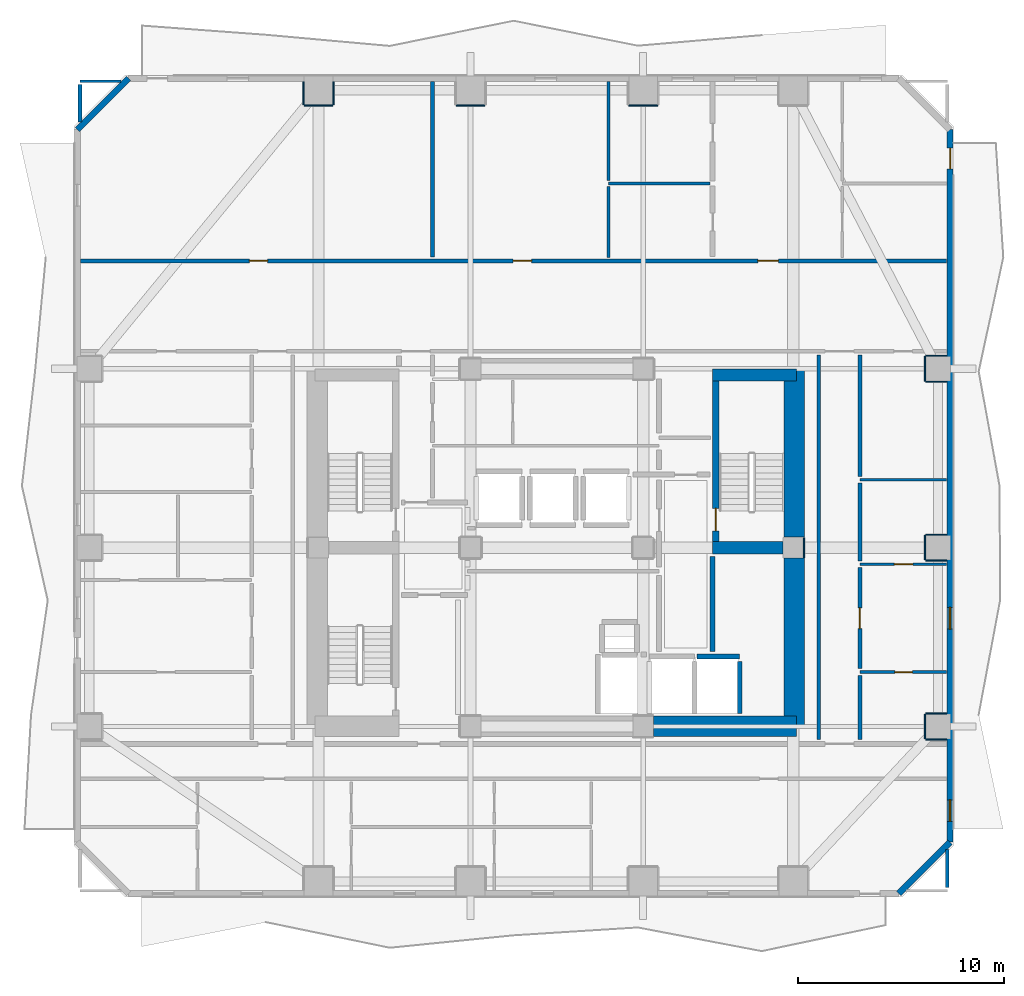
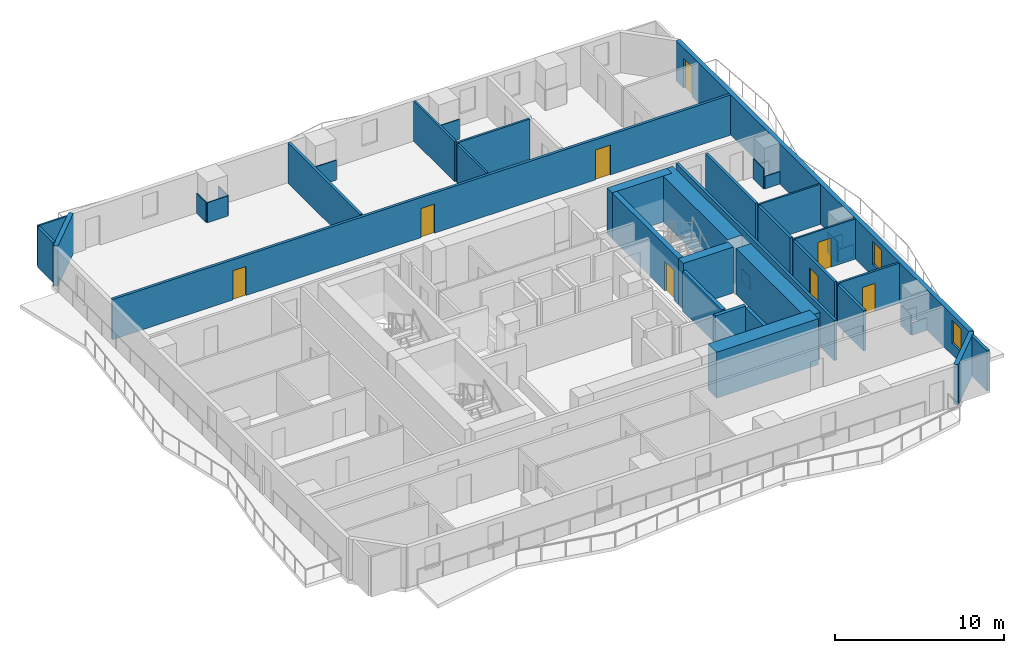
# One storey, part 5 of 10: 43 walls, 8 doors, 2 windows, 10 openings.
"""IFC4 building model written with IfcOpenShell, lengths in metres."""

from ifc_helpers import new_model, si_unit, direction, frame, frame_2d, origin, place, context, subcontext, project, spatial, rectangle, extrude, material, layer, layer_set, type_object, element, fill, save


model = new_model("IFC4")

# Units and contexts
model_context = context("Model", 3, precision=1e-05, world=origin(), true_north=direction((0.0, 1.0)))
body_context = subcontext(model_context, "Body", "Model", "MODEL_VIEW")
ifc_project = project(units=[si_unit("LENGTHUNIT", "METRE"), si_unit("AREAUNIT", "SQUARE_METRE"), si_unit("VOLUMEUNIT", "CUBIC_METRE"), si_unit("PLANEANGLEUNIT", "RADIAN"), si_unit("MASSUNIT", "GRAM", prefix="KILO")], contexts=[model_context])

# Site, building, storey
site_placement = place(None, origin())
site = spatial("IfcSite", under=ifc_project, at=site_placement, CompositionType="ELEMENT")
building_placement = place(site_placement, origin())
building = spatial("IfcBuilding", under=site, at=building_placement, Name="Solanera Arch Residences", CompositionType="ELEMENT")
storey_placement = place(building_placement, frame((0.0, 0.0, 102.760009765625)))
storey = spatial("IfcBuildingStorey", under=building, at=storey_placement, Name="L29", CompositionType="ELEMENT", Elevation=102.760009765625)

# Walls
ifc_material_1 = material(Name="Fire-Rated Gypsum Stud Partition", Category="gypsum")
ifc_layer_1 = layer(ifc_material_1, 0.06005859375)
ifc_layer_set_1 = layer_set([ifc_layer_1], Name="Fire-Rated Gypsum Stud Partition")
wall_type_1 = type_object("IfcWallType", Name="Column Acoustic Furring Wall 60", PredefinedType="PARTITIONING", material=ifc_layer_set_1)
wall_1_placement = place(storey_placement, frame((37.031982421875, 30.2099609375, 0.0), z_axis=(0.0, 0.0, 1.0), x_axis=(0.0, 1.0, 0.0)))
element("IfcWall", 1, at=wall_1_placement, inside=storey, type_object=wall_type_1, Name="L29 Column Furring 6E", PredefinedType="PARTITIONING", context=body_context, shape_type="SweptSolid", body=[
    extrude(rectangle(XDim=0.97998046875, YDim=0.06005859375, at=frame_2d((0.489990234375, 0.0))), origin(), (0.0, 0.0, 1.0), 0.905029296875),
])
wall_2_placement = place(storey_placement, frame((12.699951171875, 52.218017578125, 0.0), z_axis=(0.0, 0.0, 1.0), x_axis=(1.0, 0.0, 0.0)))
element("IfcWall", 2, at=wall_2_placement, inside=storey, type_object=wall_type_1, Name="L29 Column Furring 10S", PredefinedType="PARTITIONING", context=body_context, shape_type="SweptSolid", body=[
    extrude(rectangle(XDim=1.400146484375, YDim=0.06005859375, at=frame_2d((0.7001953125, 0.0))), origin(), (0.0, 0.0, 1.0), 1.449951171875),
])
for number, where, z_axis, x_axis, name in (
    (3, (12.66796875, 52.25, 0.0), (0.0, 0.0, 1.0), (0.0, 1.0, 0.0), "L29 Column Furring 10W"),
    (4, (14.132080078125, 52.25, 0.0), (0.0, 0.0, 1.0), (0.0, 1.0, 0.0), "L29 Column Furring 10E"),
):
    element("IfcWall", number, at=place(storey_placement, frame(where, z_axis=z_axis, x_axis=x_axis)), inside=storey, type_object=wall_type_1, Name=name, PredefinedType="PARTITIONING", context=body_context, shape_type="SweptSolid", body=[
        extrude(rectangle(XDim=1.1201171875, YDim=0.06005859375, at=frame_2d((0.56005859375, 0.0))), origin(), (0.0, 0.0, 1.0), 1.449951171875),
    ])
for number, where, z_axis, x_axis, name in (
    (5, (20.10009765625, 52.218017578125, 0.0), (0.0, 0.0, 1.0), (1.0, 0.0, 0.0), "L29 Column Furring 12S"),
    (6, (28.5, 52.218017578125, 0.0), (0.0, 0.0, 1.0), (1.0, 0.0, 0.0), "L29 Column Furring 14S"),
):
    element("IfcWall", number, at=place(storey_placement, frame(where, z_axis=z_axis, x_axis=x_axis)), inside=storey, type_object=wall_type_1, Name=name, PredefinedType="PARTITIONING", context=body_context, shape_type="SweptSolid", body=[
        extrude(rectangle(XDim=1.39990234375, YDim=0.06005859375, at=frame_2d((0.699951171875, 0.0))), origin(), (0.0, 0.0, 1.0), 1.449951171875),
    ])
for number, where, z_axis, x_axis, name in (
    (7, (42.949951171875, 21.367919921875, 0.0), (0.0, 0.0, 1.0), (1.0, 0.0, 0.0), "L29 Column Furring 18S"),
    (8, (42.949951171875, 22.632080078125, 0.0), (0.0, 0.0, 1.0), (1.0, 0.0, 0.0), "L29 Column Furring 18N"),
):
    element("IfcWall", number, at=place(storey_placement, frame(where, z_axis=z_axis, x_axis=x_axis)), inside=storey, type_object=wall_type_1, Name=name, PredefinedType="PARTITIONING", context=body_context, shape_type="SweptSolid", body=[
        extrude(rectangle(XDim=1.02001953125, YDim=0.06005859375, at=frame_2d((0.510009765625, 0.0))), origin(), (0.0, 0.0, 1.0), 0.905029296875),
    ])
wall_3_placement = place(storey_placement, frame((42.91796875, 21.39990234375, 0.0), z_axis=(0.0, 0.0, 1.0), x_axis=(0.0, 1.0, 0.0)))
element("IfcWall", 9, at=wall_3_placement, inside=storey, type_object=wall_type_1, Name="L29 Column Furring 18W", PredefinedType="PARTITIONING", context=body_context, shape_type="SweptSolid", body=[
    extrude(rectangle(XDim=1.2001953125, YDim=0.06005859375, at=frame_2d((0.60009765625, 0.0))), origin(), (0.0, 0.0, 1.0), 1.449951171875),
])
for number, where, z_axis, x_axis, name in (
    (10, (42.949951171875, 30.068115234375, 0.0), (0.0, 0.0, 1.0), (1.0, 0.0, 0.0), "L29 Column Furring 20S"),
    (11, (42.949951171875, 31.33203125, 0.0), (0.0, 0.0, 1.0), (1.0, 0.0, 0.0), "L29 Column Furring 20N"),
):
    element("IfcWall", number, at=place(storey_placement, frame(where, z_axis=z_axis, x_axis=x_axis)), inside=storey, type_object=wall_type_1, Name=name, PredefinedType="PARTITIONING", context=body_context, shape_type="SweptSolid", body=[
        extrude(rectangle(XDim=1.02001953125, YDim=0.06005859375, at=frame_2d((0.510009765625, 0.0))), origin(), (0.0, 0.0, 1.0), 0.905029296875),
    ])
wall_4_placement = place(storey_placement, frame((42.91796875, 30.10009765625, 0.0), z_axis=(0.0, 0.0, 1.0), x_axis=(0.0, 1.0, 0.0)))
element("IfcWall", 12, at=wall_4_placement, inside=storey, type_object=wall_type_1, Name="L29 Column Furring 20W", PredefinedType="PARTITIONING", context=body_context, shape_type="SweptSolid", body=[
    extrude(rectangle(XDim=1.199951171875, YDim=0.06005859375, at=frame_2d((0.60009765625, 0.0))), origin(), (0.0, 0.0, 1.0), 1.449951171875),
])
for number, where, z_axis, x_axis, name in (
    (13, (42.949951171875, 38.76806640625, 0.0), (0.0, 0.0, 1.0), (1.0, 0.0, 0.0), "L29 Column Furring 22S"),
    (14, (42.949951171875, 40.031982421875, 0.0), (0.0, 0.0, 1.0), (1.0, 0.0, 0.0), "L29 Column Furring 22N"),
):
    element("IfcWall", number, at=place(storey_placement, frame(where, z_axis=z_axis, x_axis=x_axis)), inside=storey, type_object=wall_type_1, Name=name, PredefinedType="PARTITIONING", context=body_context, shape_type="SweptSolid", body=[
        extrude(rectangle(XDim=1.02001953125, YDim=0.06005859375, at=frame_2d((0.510009765625, 0.0))), origin(), (0.0, 0.0, 1.0), 0.905029296875),
    ])
wall_5_placement = place(storey_placement, frame((42.91796875, 38.800048828125, 0.0), z_axis=(0.0, 0.0, 1.0), x_axis=(0.0, 1.0, 0.0)))
element("IfcWall", 15, at=wall_5_placement, inside=storey, type_object=wall_type_1, Name="L29 Column Furring 22W", PredefinedType="PARTITIONING", context=body_context, shape_type="SweptSolid", body=[
    extrude(rectangle(XDim=1.199951171875, YDim=0.06005859375, at=frame_2d((0.60009765625, 0.0))), origin(), (0.0, 0.0, 1.0), 1.449951171875),
])
ifc_material_2 = material(Name="Concrete C55/67 (f'c = 60 MPa)", Category="concrete")
ifc_layer_2 = layer(ifc_material_2, 1.0)
ifc_layer_set_2 = layer_set([ifc_layer_2], Name="Concrete C55/67 (f'c = 60 MPa)")
wall_type_2 = type_object("IfcWallType", Name="Core Shear Wall CW-1000", PredefinedType="SHEAR", material=ifc_layer_set_2)
wall_6_placement = place(storey_placement, frame((36.56005859375, 22.0, 0.0), z_axis=(0.0, 0.0, 1.0), x_axis=(0.0, 1.0, 0.0)))
element("IfcWall", 16, at=wall_6_placement, inside=storey, type_object=wall_type_2, Name="L29 East Core South Shear Wall", PredefinedType="SHEAR", context=body_context, shape_type="SweptSolid", body=[
    extrude(rectangle(XDim=8.195068359375, YDim=1.0, at=frame_2d((4.09765625, 0.0))), origin(), (0.0, 0.0, 1.0), 3.320068359375),
])
wall_7_placement = place(storey_placement, frame((36.56005859375, 31.205078125, 0.0), z_axis=(0.0, 0.0, 1.0), x_axis=(0.0, 1.0, 0.0)))
element("IfcWall", 17, at=wall_7_placement, inside=storey, type_object=wall_type_2, Name="L29 East Core North Shear Wall", PredefinedType="SHEAR", context=body_context, shape_type="SweptSolid", body=[
    extrude(rectangle(XDim=8.19482421875, YDim=1.0, at=frame_2d((4.097412109375, 0.0))), origin(), (0.0, 0.0, 1.0), 3.320068359375),
])
wall_8_placement = place(storey_placement, frame((29.705078125, 22.0, 0.0), z_axis=(0.0, 0.0, 1.0), x_axis=(1.0, 0.0, 0.0)))
element("IfcWall", 18, at=wall_8_placement, inside=storey, type_object=wall_type_2, Name="L29 South-East Core Shear Wall", PredefinedType="SHEAR", context=body_context, shape_type="SweptSolid", body=[
    extrude(rectangle(XDim=6.954833984375, YDim=1.0, at=frame_2d((3.4775390625, 0.0))), origin(), (0.0, 0.0, 1.0), 3.320068359375),
])

# Wall, opening, door
ifc_material_3 = material(Name="Concrete C40/50 (f'c = 45 MPa)", Category="concrete")
ifc_layer_3 = layer(ifc_material_3, 0.320068359375)
ifc_layer_set_3 = layer_set([ifc_layer_3], Name="Concrete C40/50 (f'c = 45 MPa)")
wall_type_3 = type_object("IfcWallType", Name="Core Shear Wall CW-320", PredefinedType="SHEAR", material=ifc_layer_set_3)
wall_9_placement = place(storey_placement, frame((32.739990234375, 31.0, 0.0), z_axis=(0.0, 0.0, 1.0), x_axis=(0.0, 1.0, 0.0)))
wall_9 = element("IfcWall", 19, at=wall_9_placement, inside=storey, type_object=wall_type_3, Name="L29 Stair ST-T2 West Shear Wall", PredefinedType="SHEAR", context=body_context, shape_type="SweptSolid", body=[
    extrude(rectangle(XDim=7.800048828125, YDim=0.320068359375, at=frame_2d((3.89990234375, 0.0))), origin(), (0.0, 0.0, 1.0), 3.320068359375),
])
opening_1_placement = place(wall_9_placement, frame((0.510009765625, 0.0, 0.0)))
opening_1 = element("IfcOpeningElement", 20, at=opening_1_placement, cuts=wall_9, Name="Opening DF-01", PredefinedType="OPENING", context=body_context, shape_type="SweptSolid", body=[
    extrude(rectangle(XDim=1.10009765625, YDim=2.14990234375, at=frame_2d((0.550048828125, 1.074951171875))), frame((0.0, 0.169921875, 0.0), z_axis=(0.0, -1.0, 0.0), x_axis=(1.0, 0.0, 0.0)), (0.0, 0.0, 1.0), 0.3401),
])
ifc_material_4 = material(Name="Fire-Rated Architectural Hardwood", Category="wood")
door_type_1 = type_object("IfcDoorType", Name="Stair Exit Fire Door DF-01", OperationType="NOTDEFINED", PredefinedType="DOOR", material=ifc_material_4)
door_1_placement = place(opening_1_placement, origin())
door_1 = element("IfcDoor", 21, at=door_1_placement, inside=storey, type_object=door_type_1, Name="DR-L29-STAIR-ST-T2", OperationType="SINGLE_SWING_LEFT", OverallHeight=2.14990234375, OverallWidth=1.10009765625, PredefinedType="DOOR", context=body_context, shape_type="SweptSolid", body=[
    extrude(rectangle(XDim=1.10009765625, YDim=2.14990234375, at=frame_2d((0.550048828125, 1.074951171875))), frame((0.0, 0.02490234375, 0.0), z_axis=(0.0, -1.0, 0.0), x_axis=(1.0, 0.0, 0.0)), (0.0, 0.0, 1.0), 0.050048828125),
])
fill(opening_1, door_1)

# Walls
ifc_material_5 = material(Name="Concrete C40/50 (f'c = 45 MPa)", Category="concrete")
ifc_layer_4 = layer(ifc_material_5, 0.60009765625)
ifc_layer_set_4 = layer_set([ifc_layer_4], Name="Concrete C40/50 (f'c = 45 MPa)")
wall_type_4 = type_object("IfcWallType", Name="Core Shear Wall CW-600", PredefinedType="SHEAR", material=ifc_layer_set_4)
wall_10_placement = place(storey_placement, frame((32.580078125, 39.10009765625, 0.0), z_axis=(0.0, 0.0, 1.0), x_axis=(1.0, 0.0, 0.0)))
element("IfcWall", 22, at=wall_10_placement, inside=storey, type_object=wall_type_4, Name="L29 North-East Core Shear Wall", PredefinedType="SHEAR", context=body_context, shape_type="SweptSolid", body=[
    extrude(rectangle(XDim=4.079833984375, YDim=0.60009765625, at=frame_2d((2.0400390625, 0.0))), origin(), (0.0, 0.0, 1.0), 3.320068359375),
])
wall_11_placement = place(storey_placement, frame((32.580078125, 30.699951171875, 0.0), z_axis=(0.0, 0.0, 1.0), x_axis=(1.0, 0.0, 0.0)))
element("IfcWall", 23, at=wall_11_placement, inside=storey, type_object=wall_type_4, Name="L29 East Stair Far-Landing Shear Wall", PredefinedType="SHEAR", context=body_context, shape_type="SweptSolid", body=[
    extrude(rectangle(XDim=3.4150390625, YDim=0.60009765625, at=frame_2d((1.70751953125, 0.0))), origin(), (0.0, 0.0, 1.0), 3.320068359375),
])

# Wall, openings, doors
ifc_material_6 = material(Name="Autoclaved Aerated Concrete Blockwork", Category="masonry")
ifc_layer_5 = layer(ifc_material_6, 0.179931640625)
ifc_layer_set_5 = layer_set([ifc_layer_5], Name="Autoclaved Aerated Concrete Blockwork")
wall_type_5 = type_object("IfcWallType", Name="Corridor Fire Partition 180", PredefinedType="PARTITIONING", material=ifc_layer_set_5)
wall_12_placement = place(storey_placement, frame((1.826904296875, 44.64990234375, 0.0), z_axis=(0.0, 0.0, 1.0), x_axis=(1.0, 0.0, 0.0)))
wall_12 = element("IfcWall", 24, at=wall_12_placement, inside=storey, type_object=wall_type_5, Name="L29 Interior Partition H11", PredefinedType="PARTITIONING", context=body_context, shape_type="SweptSolid", body=[
    extrude(rectangle(XDim=42.14599609375, YDim=0.179931640625, at=frame_2d((21.072998046875, 0.0))), origin(), (0.0, 0.0, 1.0), 2.89990234375),
])
opening_2_placement = place(wall_12_placement, frame((8.20703125, 0.0, 0.0)))
opening_2 = element("IfcOpeningElement", 25, at=opening_2_placement, cuts=wall_12, Name="Opening DI-02", PredefinedType="OPENING", context=body_context, shape_type="SweptSolid", body=[
    extrude(rectangle(XDim=0.89990234375, YDim=2.10009765625, at=frame_2d((0.449951171875, 1.050048828125))), frame((0.0, 0.10009765625, 0.0), z_axis=(0.0, -1.0, 0.0), x_axis=(1.0, 0.0, 0.0)), (0.0, 0.0, 1.0), 0.1999),
])
opening_3_placement = place(wall_12_placement, frame((21.04296875, 0.0, 0.0)))
opening_3 = element("IfcOpeningElement", 26, at=opening_3_placement, cuts=wall_12, Name="Opening DI-02", PredefinedType="OPENING", context=body_context, shape_type="SweptSolid", body=[
    extrude(rectangle(XDim=0.89990234375, YDim=2.10009765625, at=frame_2d((0.449951171875, 1.050048828125))), frame((0.0, 0.10009765625, 0.0), z_axis=(0.0, -1.0, 0.0), x_axis=(1.0, 0.0, 0.0)), (0.0, 0.0, 1.0), 0.1999),
])
opening_4_placement = place(wall_12_placement, frame((32.950927734375, 0.0, 0.0)))
opening_4 = element("IfcOpeningElement", 27, at=opening_4_placement, cuts=wall_12, Name="Opening DI-01", PredefinedType="OPENING", context=body_context, shape_type="SweptSolid", body=[
    extrude(rectangle(XDim=1.0, YDim=2.14990234375, at=frame_2d((0.5, 1.074951171875))), frame((0.0, 0.10009765625, 0.0), z_axis=(0.0, -1.0, 0.0), x_axis=(1.0, 0.0, 0.0)), (0.0, 0.0, 1.0), 0.1999),
])
ifc_material_7 = material(Name="Fire-Rated Architectural Hardwood", Category="wood")
door_type_2 = type_object("IfcDoorType", Name="Suite Room Swing Door DI-02", OperationType="NOTDEFINED", PredefinedType="DOOR", material=ifc_material_7)
door_2_placement = place(opening_2_placement, origin())
door_2 = element("IfcDoor", 28, at=door_2_placement, inside=storey, type_object=door_type_2, Name="DR-L29-IN-024", OperationType="SINGLE_SWING_LEFT", OverallHeight=2.10009765625, OverallWidth=0.89990234375, PredefinedType="DOOR", context=body_context, shape_type="SweptSolid", body=[
    extrude(rectangle(XDim=0.89990234375, YDim=2.10009765625, at=frame_2d((0.449951171875, 1.050048828125))), frame((0.0, 0.02490234375, 0.0), z_axis=(0.0, -1.0, 0.0), x_axis=(1.0, 0.0, 0.0)), (0.0, 0.0, 1.0), 0.050048828125),
])
fill(opening_2, door_2)
door_3_placement = place(opening_3_placement, origin())
door_3 = element("IfcDoor", 29, at=door_3_placement, inside=storey, type_object=door_type_2, Name="DR-L29-IN-025", OperationType="SINGLE_SWING_RIGHT", OverallHeight=2.10009765625, OverallWidth=0.89990234375, PredefinedType="DOOR", context=body_context, shape_type="SweptSolid", body=[
    extrude(rectangle(XDim=0.89990234375, YDim=2.10009765625, at=frame_2d((0.449951171875, 1.050048828125))), frame((0.0, 0.02490234375, 0.0), z_axis=(0.0, -1.0, 0.0), x_axis=(1.0, 0.0, 0.0)), (0.0, 0.0, 1.0), 0.050048828125),
])
fill(opening_3, door_3)
ifc_material_8 = material(Name="Fire-Rated Architectural Hardwood", Category="wood")
door_type_3 = type_object("IfcDoorType", Name="Unit Entrance Fire Door DI-01", OperationType="NOTDEFINED", PredefinedType="DOOR", material=ifc_material_8)
door_4_placement = place(opening_4_placement, origin())
door_4 = element("IfcDoor", 30, at=door_4_placement, inside=storey, type_object=door_type_3, Name="DR-L29-IN-026", OperationType="SINGLE_SWING_LEFT", OverallHeight=2.14990234375, OverallWidth=1.0, PredefinedType="DOOR", context=body_context, shape_type="SweptSolid", body=[
    extrude(rectangle(XDim=1.0, YDim=2.14990234375, at=frame_2d((0.5, 1.074951171875))), frame((0.0, 0.02490234375, 0.0), z_axis=(0.0, -1.0, 0.0), x_axis=(1.0, 0.0, 0.0)), (0.0, 0.0, 1.0), 0.050048828125),
])
fill(opening_4, door_4)

# Walls
wall_13_placement = place(storey_placement, frame((1.800048828125, 51.39892578125, 0.0), z_axis=(0.0, 0.0, 1.0), x_axis=(0.0, 1.0, 0.0)))
element("IfcWall", 31, at=wall_13_placement, inside=storey, type_object=wall_type_5, Name="L29 Interior Partition V7 2", PredefinedType="PARTITIONING", context=body_context, shape_type="SweptSolid", body=[
    extrude(rectangle(XDim=1.843017578125, YDim=0.179931640625, at=frame_2d((0.92138671875, 0.0))), origin(), (0.0, 0.0, 1.0), 2.89990234375),
])
wall_14_placement = place(storey_placement, frame((18.949951171875, 44.837890625, 0.0), z_axis=(0.0, 0.0, 1.0), x_axis=(0.0, 1.0, 0.0)))
element("IfcWall", 32, at=wall_14_placement, inside=storey, type_object=wall_type_5, Name="L29 Interior Partition V11", PredefinedType="PARTITIONING", context=body_context, shape_type="SweptSolid", body=[
    extrude(rectangle(XDim=8.53515625, YDim=0.179931640625, at=frame_2d((4.267578125, 0.0))), origin(), (0.0, 0.0, 1.0), 2.89990234375),
])
wall_15_placement = place(storey_placement, frame((37.75, 21.367919921875, 0.0), z_axis=(0.0, 0.0, 1.0), x_axis=(0.0, 1.0, 0.0)))
element("IfcWall", 33, at=wall_15_placement, inside=storey, type_object=wall_type_5, Name="L29 Interior Partition V13", PredefinedType="PARTITIONING", context=body_context, shape_type="SweptSolid", body=[
    extrude(rectangle(XDim=18.694091796875, YDim=0.179931640625, at=frame_2d((9.34716796875, 0.0))), origin(), (0.0, 0.0, 1.0), 2.89990234375),
])
wall_16_placement = place(storey_placement, frame((39.75, 21.367919921875, 0.0), z_axis=(0.0, 0.0, 1.0), x_axis=(0.0, 1.0, 0.0)))
element("IfcWall", 34, at=wall_16_placement, inside=storey, type_object=wall_type_5, Name="L29 Interior Partition V14 1", PredefinedType="PARTITIONING", context=body_context, shape_type="SweptSolid", body=[
    extrude(rectangle(XDim=3.109130859375, YDim=0.179931640625, at=frame_2d((1.5546875, 0.0))), origin(), (0.0, 0.0, 1.0), 2.89990234375),
])

# Wall, opening, door
wall_17_placement = place(storey_placement, frame((39.75, 24.81298828125, 0.0), z_axis=(0.0, 0.0, 1.0), x_axis=(0.0, 1.0, 0.0)))
wall_17 = element("IfcWall", 35, at=wall_17_placement, inside=storey, type_object=wall_type_5, Name="L29 Interior Partition V14 2", PredefinedType="PARTITIONING", context=body_context, shape_type="SweptSolid", body=[
    extrude(rectangle(XDim=4.908935546875, YDim=0.179931640625, at=frame_2d((2.45458984375, 0.0))), origin(), (0.0, 0.0, 1.0), 2.89990234375),
])
opening_5_placement = place(wall_17_placement, frame((1.949951171875, 0.0, 0.0)))
opening_5 = element("IfcOpeningElement", 36, at=opening_5_placement, cuts=wall_17, Name="Opening DI-01", PredefinedType="OPENING", context=body_context, shape_type="SweptSolid", body=[
    extrude(rectangle(XDim=1.0, YDim=2.14990234375, at=frame_2d((0.5, 1.074951171875))), frame((0.0, 0.10009765625, 0.0), z_axis=(0.0, -1.0, 0.0), x_axis=(1.0, 0.0, 0.0)), (0.0, 0.0, 1.0), 0.1999),
])
door_5_placement = place(opening_5_placement, origin())
door_5 = element("IfcDoor", 37, at=door_5_placement, inside=storey, type_object=door_type_3, Name="DR-L29-IN-037", OperationType="SINGLE_SWING_RIGHT", OverallHeight=2.14990234375, OverallWidth=1.0, PredefinedType="DOOR", context=body_context, shape_type="SweptSolid", body=[
    extrude(rectangle(XDim=1.0, YDim=2.14990234375, at=frame_2d((0.5, 1.074951171875))), frame((0.0, 0.02490234375, 0.0), z_axis=(0.0, -1.0, 0.0), x_axis=(1.0, 0.0, 0.0)), (0.0, 0.0, 1.0), 0.050048828125),
])
fill(opening_5, door_5)

# Walls
wall_18_placement = place(storey_placement, frame((39.75, 30.0380859375, 0.0), z_axis=(0.0, 0.0, 1.0), x_axis=(0.0, 1.0, 0.0)))
element("IfcWall", 38, at=wall_18_placement, inside=storey, type_object=wall_type_5, Name="L29 Interior Partition V14 3", PredefinedType="PARTITIONING", context=body_context, shape_type="SweptSolid", body=[
    extrude(rectangle(XDim=3.803955078125, YDim=0.179931640625, at=frame_2d((1.90185546875, 0.0))), origin(), (0.0, 0.0, 1.0), 2.89990234375),
])
wall_19_placement = place(storey_placement, frame((39.75, 34.157958984375, 0.0), z_axis=(0.0, 0.0, 1.0), x_axis=(0.0, 1.0, 0.0)))
element("IfcWall", 39, at=wall_19_placement, inside=storey, type_object=wall_type_5, Name="L29 Interior Partition V14 4", PredefinedType="PARTITIONING", context=body_context, shape_type="SweptSolid", body=[
    extrude(rectangle(XDim=5.904052734375, YDim=0.179931640625, at=frame_2d((2.9521484375, 0.0))), origin(), (0.0, 0.0, 1.0), 2.89990234375),
])
wall_20_placement = place(storey_placement, frame((44.0, 14.157958984375, 0.0), z_axis=(0.0, 0.0, 1.0), x_axis=(0.0, 1.0, 0.0)))
element("IfcWall", 40, at=wall_20_placement, inside=storey, type_object=wall_type_5, Name="L29 Interior Partition V15 1", PredefinedType="PARTITIONING", context=body_context, shape_type="SweptSolid", body=[
    extrude(rectangle(XDim=1.843017578125, YDim=0.179931640625, at=frame_2d((0.92138671875, 0.0))), origin(), (0.0, 0.0, 1.0), 2.89990234375),
])
ifc_material_9 = material(Name="Precast Concrete C35/45", Category="concrete")
ifc_layer_6 = layer(ifc_material_9, 0.300048828125)
ifc_layer_set_6 = layer_set([ifc_layer_6], Name="Precast Concrete C35/45")
wall_type_6 = type_object("IfcWallType", Name="Exterior Wall Precast Masonry-Frame 300", PredefinedType="STANDARD", material=ifc_layer_set_6)
wall_21_placement = place(storey_placement, frame((1.6650390625, 51.034912109375, 0.0), z_axis=(0.0, 0.0, 1.0), x_axis=(0.707106781187, 0.707106781187, 0.0)))
element("IfcWall", 41, at=wall_21_placement, inside=storey, type_object=wall_type_6, Name="L29 Tower Exterior Precast Masonry-Frame Wall CH1", PredefinedType="STANDARD", context=body_context, shape_type="SweptSolid", body=[
    extrude(rectangle(XDim=3.53564453125, YDim=0.300048828125, at=frame_2d((1.767822265625, 0.0))), origin(), (0.0, 0.0, 1.0), 2.89990234375),
])

# Wall, openings, door, windows
wall_22_placement = place(storey_placement, frame((44.135009765625, 51.034912109375, 0.0), z_axis=(0.0, 0.0, 1.0), x_axis=(0.0, -1.0, 0.0)))
wall_22 = element("IfcWall", 42, at=wall_22_placement, inside=storey, type_object=wall_type_6, Name="L29 Tower Exterior Precast Masonry-Frame Wall E", PredefinedType="STANDARD", context=body_context, shape_type="SweptSolid", body=[
    extrude(rectangle(XDim=34.669921875, YDim=0.300048828125, at=frame_2d((17.3349609375, 0.0))), origin(), (0.0, 0.0, 1.0), 2.89990234375),
])
opening_6_placement = place(wall_22_placement, frame((0.90087890625, 0.0, 0.0)))
opening_6 = element("IfcOpeningElement", 43, at=opening_6_placement, cuts=wall_22, Name="Opening DB-01", PredefinedType="OPENING", context=body_context, shape_type="SweptSolid", body=[
    extrude(rectangle(XDim=1.0, YDim=2.14990234375, at=frame_2d((0.5, 1.074951171875))), frame((0.0, 0.159912109375, 0.0), z_axis=(0.0, -1.0, 0.0), x_axis=(1.0, 0.0, 0.0)), (0.0, 0.0, 1.0), 0.32),
])
opening_7_placement = place(wall_22_placement, frame((32.60791015625, 0.0, 0.85009765625)))
opening_7 = element("IfcOpeningElement", 44, at=opening_7_placement, cuts=wall_22, Name="Opening W-07", PredefinedType="OPENING", context=body_context, shape_type="SweptSolid", body=[
    extrude(rectangle(XDim=1.050048828125, YDim=1.64990234375, at=frame_2d((0.52490234375, 0.824951171875))), frame((0.0, 0.159912109375, 0.0), z_axis=(0.0, -1.0, 0.0), x_axis=(1.0, 0.0, 0.0)), (0.0, 0.0, 1.0), 0.32),
])
opening_8_placement = place(wall_22_placement, frame((23.248046875, 0.0, 0.85009765625)))
opening_8 = element("IfcOpeningElement", 45, at=opening_8_placement, cuts=wall_22, Name="Opening W-07", PredefinedType="OPENING", context=body_context, shape_type="SweptSolid", body=[
    extrude(rectangle(XDim=1.050048828125, YDim=1.64990234375, at=frame_2d((0.52490234375, 0.824951171875))), frame((0.0, 0.159912109375, 0.0), z_axis=(0.0, -1.0, 0.0), x_axis=(1.0, 0.0, 0.0)), (0.0, 0.0, 1.0), 0.32),
])
ifc_material_10 = material(Name="Anodised Aluminium Alloy 6063-T6", Category="aluminium")
door_type_4 = type_object("IfcDoorType", Name="Glazed Balcony Swing Door DB-01", OperationType="NOTDEFINED", PredefinedType="DOOR", material=ifc_material_10)
door_6_placement = place(opening_6_placement, origin())
door_6 = element("IfcDoor", 46, at=door_6_placement, inside=storey, type_object=door_type_4, Name="DR-L29-OUT-03", OperationType="SINGLE_SWING_LEFT", OverallHeight=2.14990234375, OverallWidth=1.0, PredefinedType="DOOR", context=body_context, shape_type="SweptSolid", body=[
    extrude(rectangle(XDim=1.0, YDim=2.14990234375, at=frame_2d((0.5, 1.074951171875))), frame((0.0, 0.02490234375, 0.0), z_axis=(0.0, -1.0, 0.0), x_axis=(1.0, 0.0, 0.0)), (0.0, 0.0, 1.0), 0.050048828125),
])
fill(opening_6, door_6)
ifc_material_11 = material(Name="Double Glazed Low-E Laminated Glass", Category="glass")
window_type = type_object("IfcWindowType", Name="Punched Window W-07", PartitioningType="SINGLE_PANEL", PredefinedType="WINDOW", material=ifc_material_11)
window_1_placement = place(opening_7_placement, origin())
window_1 = element("IfcWindow", 47, at=window_1_placement, inside=storey, type_object=window_type, Name="L29 AMN-LNG Punched Window", OverallHeight=1.64990234375, OverallWidth=1.050048828125, PartitioningType="SINGLE_PANEL", PredefinedType="WINDOW", context=body_context, shape_type="SweptSolid", body=[
    extrude(rectangle(XDim=1.050048828125, YDim=1.64990234375, at=frame_2d((0.52490234375, 0.824951171875))), frame((0.0, 0.030029296875, 0.0), z_axis=(0.0, -1.0, 0.0), x_axis=(1.0, 0.0, 0.0)), (0.0, 0.0, 1.0), 0.06005859375),
])
fill(opening_7, window_1)
window_2_placement = place(opening_8_placement, origin())
window_2 = element("IfcWindow", 48, at=window_2_placement, inside=storey, type_object=window_type, Name="L29 2904-LIV Punched Window", OverallHeight=1.64990234375, OverallWidth=1.050048828125, PartitioningType="SINGLE_PANEL", PredefinedType="WINDOW", context=body_context, shape_type="SweptSolid", body=[
    extrude(rectangle(XDim=1.050048828125, YDim=1.64990234375, at=frame_2d((0.52490234375, 0.824951171875))), frame((0.0, 0.030029296875, 0.0), z_axis=(0.0, -1.0, 0.0), x_axis=(1.0, 0.0, 0.0)), (0.0, 0.0, 1.0), 0.06005859375),
])
fill(opening_8, window_2)

# Walls
wall_23_placement = place(storey_placement, frame((44.135009765625, 16.364990234375, 0.0), z_axis=(0.0, 0.0, 1.0), x_axis=(-0.707106781187, -0.707106781187, 0.0)))
element("IfcWall", 49, at=wall_23_placement, inside=storey, type_object=wall_type_6, Name="L29 Tower Exterior Precast Masonry-Frame Wall CH5", PredefinedType="STANDARD", context=body_context, shape_type="SweptSolid", body=[
    extrude(rectangle(XDim=3.53564453125, YDim=0.300048828125, at=frame_2d((1.767822265625, 0.0))), origin(), (0.0, 0.0, 1.0), 2.89990234375),
])
ifc_material_12 = material(Name="Autoclaved Aerated Concrete Blockwork", Category="masonry")
ifc_layer_7 = layer(ifc_material_12, 0.239990234375)
ifc_layer_set_7 = layer_set([ifc_layer_7], Name="Autoclaved Aerated Concrete Blockwork")
wall_type_7 = type_object("IfcWallType", Name="Shaft Wall Fire-Rated 240", PredefinedType="PARTITIONING", material=ifc_layer_set_7)
wall_24_placement = place(storey_placement, frame((31.827880859375, 25.39990234375, 0.0), z_axis=(0.0, 0.0, 1.0), x_axis=(1.0, 0.0, 0.0)))
element("IfcWall", 50, at=wall_24_placement, inside=storey, type_object=wall_type_7, Name="L29 Lift FFL-2 Hoistway Wall N", PredefinedType="PARTITIONING", context=body_context, shape_type="SweptSolid", body=[
    extrude(rectangle(XDim=2.072021484375, YDim=0.239990234375, at=frame_2d((1.0361328125, 0.0))), origin(), (0.0, 0.0, 1.0), 2.89990234375),
])
wall_25_placement = place(storey_placement, frame((33.89990234375, 22.6298828125, 0.0), z_axis=(0.0, 0.0, 1.0), x_axis=(0.0, 1.0, 0.0)))
element("IfcWall", 51, at=wall_25_placement, inside=storey, type_object=wall_type_7, Name="L29 Lift FFL-2 Hoistway Wall E", PredefinedType="PARTITIONING", context=body_context, shape_type="SweptSolid", body=[
    extrude(rectangle(XDim=2.522216796875, YDim=0.239990234375, at=frame_2d((1.26123046875, 0.0))), origin(), (0.0, 0.0, 1.0), 2.89990234375),
])
wall_26_placement = place(storey_placement, frame((32.580078125, 25.64794921875, 0.0), z_axis=(0.0, 0.0, 1.0), x_axis=(0.0, 1.0, 0.0)))
element("IfcWall", 52, at=wall_26_placement, inside=storey, type_object=wall_type_7, Name="L29 Interior Partition V5", PredefinedType="PARTITIONING", context=body_context, shape_type="SweptSolid", body=[
    extrude(rectangle(XDim=4.6220703125, YDim=0.239990234375, at=frame_2d((2.31103515625, 0.0))), origin(), (0.0, 0.0, 1.0), 2.89990234375),
])

# Wall, opening, door
ifc_material_13 = material(Name="Fire-Rated Gypsum Stud Partition", Category="gypsum")
ifc_layer_8 = layer(ifc_material_13, 0.1201171875)
ifc_layer_set_8 = layer_set([ifc_layer_8], Name="Fire-Rated Gypsum Stud Partition")
wall_type_8 = type_object("IfcWallType", Name="Unit Drywall Partition 120", PredefinedType="PARTITIONING", material=ifc_layer_set_8)
wall_27_placement = place(storey_placement, frame((39.75, 29.8798828125, 0.0), z_axis=(0.0, 0.0, 1.0), x_axis=(1.0, 0.0, 0.0)))
wall_27 = element("IfcWall", 53, at=wall_27_placement, inside=storey, type_object=wall_type_8, Name="L29 Interior Partition H22", PredefinedType="PARTITIONING", context=body_context, shape_type="SweptSolid", body=[
    extrude(rectangle(XDim=4.222900390625, YDim=0.1201171875, at=frame_2d((2.111328125, 0.0))), origin(), (0.0, 0.0, 1.0), 2.89990234375),
])
opening_9_placement = place(wall_27_placement, frame((1.675048828125, 0.0, 0.0)))
opening_9 = element("IfcOpeningElement", 54, at=opening_9_placement, cuts=wall_27, Name="Opening DI-02", PredefinedType="OPENING", context=body_context, shape_type="SweptSolid", body=[
    extrude(rectangle(XDim=0.89990234375, YDim=2.10009765625, at=frame_2d((0.449951171875, 1.050048828125))), frame((0.0, 0.070068359375, 0.0), z_axis=(0.0, -1.0, 0.0), x_axis=(1.0, 0.0, 0.0)), (0.0, 0.0, 1.0), 0.1401),
])
door_7_placement = place(opening_9_placement, origin())
door_7 = element("IfcDoor", 55, at=door_7_placement, inside=storey, type_object=door_type_2, Name="DR-L29-IN-039", OperationType="SINGLE_SWING_RIGHT", OverallHeight=2.10009765625, OverallWidth=0.89990234375, PredefinedType="DOOR", context=body_context, shape_type="SweptSolid", body=[
    extrude(rectangle(XDim=0.89990234375, YDim=2.10009765625, at=frame_2d((0.449951171875, 1.050048828125))), frame((0.0, 0.02490234375, 0.0), z_axis=(0.0, -1.0, 0.0), x_axis=(1.0, 0.0, 0.0)), (0.0, 0.0, 1.0), 0.050048828125),
])
fill(opening_9, door_7)

# Walls
wall_28_placement = place(storey_placement, frame((39.75, 34.0, 0.0), z_axis=(0.0, 0.0, 1.0), x_axis=(1.0, 0.0, 0.0)))
element("IfcWall", 56, at=wall_28_placement, inside=storey, type_object=wall_type_8, Name="L29 Interior Partition H23", PredefinedType="PARTITIONING", context=body_context, shape_type="SweptSolid", body=[
    extrude(rectangle(XDim=4.222900390625, YDim=0.1201171875, at=frame_2d((2.111328125, 0.0))), origin(), (0.0, 0.0, 1.0), 2.89990234375),
])
wall_29_placement = place(storey_placement, frame((1.800048828125, 53.39990234375, 0.0), z_axis=(0.0, 0.0, 1.0), x_axis=(1.0, 0.0, 0.0)))
element("IfcWall", 57, at=wall_29_placement, inside=storey, type_object=wall_type_8, Name="L29 Interior Partition H26 1", PredefinedType="PARTITIONING", context=body_context, shape_type="SweptSolid", body=[
    extrude(rectangle(XDim=2.0009765625, YDim=0.1201171875, at=frame_2d((1.00048828125, 0.0))), origin(), (0.0, 0.0, 1.0), 2.89990234375),
])

# Wall, opening, door
ifc_material_14 = material(Name="Autoclaved Aerated Concrete Blockwork", Category="masonry")
ifc_layer_9 = layer(ifc_material_14, 0.139892578125)
ifc_layer_set_9 = layer_set([ifc_layer_9], Name="Autoclaved Aerated Concrete Blockwork")
wall_type_9 = type_object("IfcWallType", Name="Wet-Room Partition 140", PredefinedType="PARTITIONING", material=ifc_layer_set_9)
wall_30_placement = place(storey_placement, frame((39.75, 24.64501953125, 0.0), z_axis=(0.0, 0.0, 1.0), x_axis=(1.0, 0.0, 0.0)))
wall_30 = element("IfcWall", 58, at=wall_30_placement, inside=storey, type_object=wall_type_9, Name="L29 Interior Partition H15", PredefinedType="PARTITIONING", context=body_context, shape_type="SweptSolid", body=[
    extrude(rectangle(XDim=4.222900390625, YDim=0.139892578125, at=frame_2d((2.111328125, 0.0))), origin(), (0.0, 0.0, 1.0), 2.89990234375),
])
opening_10_placement = place(wall_30_placement, frame((1.695068359375, 0.0, 0.0)))
opening_10 = element("IfcOpeningElement", 59, at=opening_10_placement, cuts=wall_30, Name="Opening DI-05", PredefinedType="OPENING", context=body_context, shape_type="SweptSolid", body=[
    extrude(rectangle(XDim=0.860107421875, YDim=2.02001953125, at=frame_2d((0.43017578125, 1.010009765625))), frame((0.0, 0.079833984375, 0.0), z_axis=(0.0, -1.0, 0.0), x_axis=(1.0, 0.0, 0.0)), (0.0, 0.0, 1.0), 0.1599),
])
ifc_material_15 = material(Name="Fire-Rated Architectural Hardwood", Category="wood")
door_type_5 = type_object("IfcDoorType", Name="Bathroom Swing Door DI-05", OperationType="NOTDEFINED", PredefinedType="DOOR", material=ifc_material_15)
door_8_placement = place(opening_10_placement, origin())
door_8 = element("IfcDoor", 60, at=door_8_placement, inside=storey, type_object=door_type_5, Name="DR-L29-IN-038", OperationType="SINGLE_SWING_LEFT", OverallHeight=2.02001953125, OverallWidth=0.860107421875, PredefinedType="DOOR", context=body_context, shape_type="SweptSolid", body=[
    extrude(rectangle(XDim=0.860107421875, YDim=2.02001953125, at=frame_2d((0.43017578125, 1.010009765625))), frame((0.0, 0.02490234375, 0.0), z_axis=(0.0, -1.0, 0.0), x_axis=(1.0, 0.0, 0.0)), (0.0, 0.0, 1.0), 0.050048828125),
])
fill(opening_10, door_8)

# Walls
wall_31_placement = place(storey_placement, frame((27.52001953125, 48.4130859375, 0.0), z_axis=(0.0, 0.0, 1.0), x_axis=(1.0, 0.0, 0.0)))
element("IfcWall", 61, at=wall_31_placement, inside=storey, type_object=wall_type_9, Name="L29 Interior Partition H19", PredefinedType="PARTITIONING", context=body_context, shape_type="SweptSolid", body=[
    extrude(rectangle(XDim=4.944091796875, YDim=0.139892578125, at=frame_2d((2.47216796875, 0.0))), origin(), (0.0, 0.0, 1.0), 2.89990234375),
])
wall_32_placement = place(storey_placement, frame((27.52001953125, 44.818115234375, 0.0), z_axis=(0.0, 0.0, 1.0), x_axis=(0.0, 1.0, 0.0)))
element("IfcWall", 62, at=wall_32_placement, inside=storey, type_object=wall_type_9, Name="L29 Interior Partition V18 1", PredefinedType="PARTITIONING", context=body_context, shape_type="SweptSolid", body=[
    extrude(rectangle(XDim=3.44677734375, YDim=0.139892578125, at=frame_2d((1.723388671875, 0.0))), origin(), (0.0, 0.0, 1.0), 2.89990234375),
])
wall_33_placement = place(storey_placement, frame((27.52001953125, 48.56103515625, 0.0), z_axis=(0.0, 0.0, 1.0), x_axis=(0.0, 1.0, 0.0)))
element("IfcWall", 63, at=wall_33_placement, inside=storey, type_object=wall_type_9, Name="L29 Interior Partition V18 2", PredefinedType="PARTITIONING", context=body_context, shape_type="SweptSolid", body=[
    extrude(rectangle(XDim=4.81201171875, YDim=0.139892578125, at=frame_2d((2.406005859375, 0.0))), origin(), (0.0, 0.0, 1.0), 2.89990234375),
])

save(model, "model.ifc")
